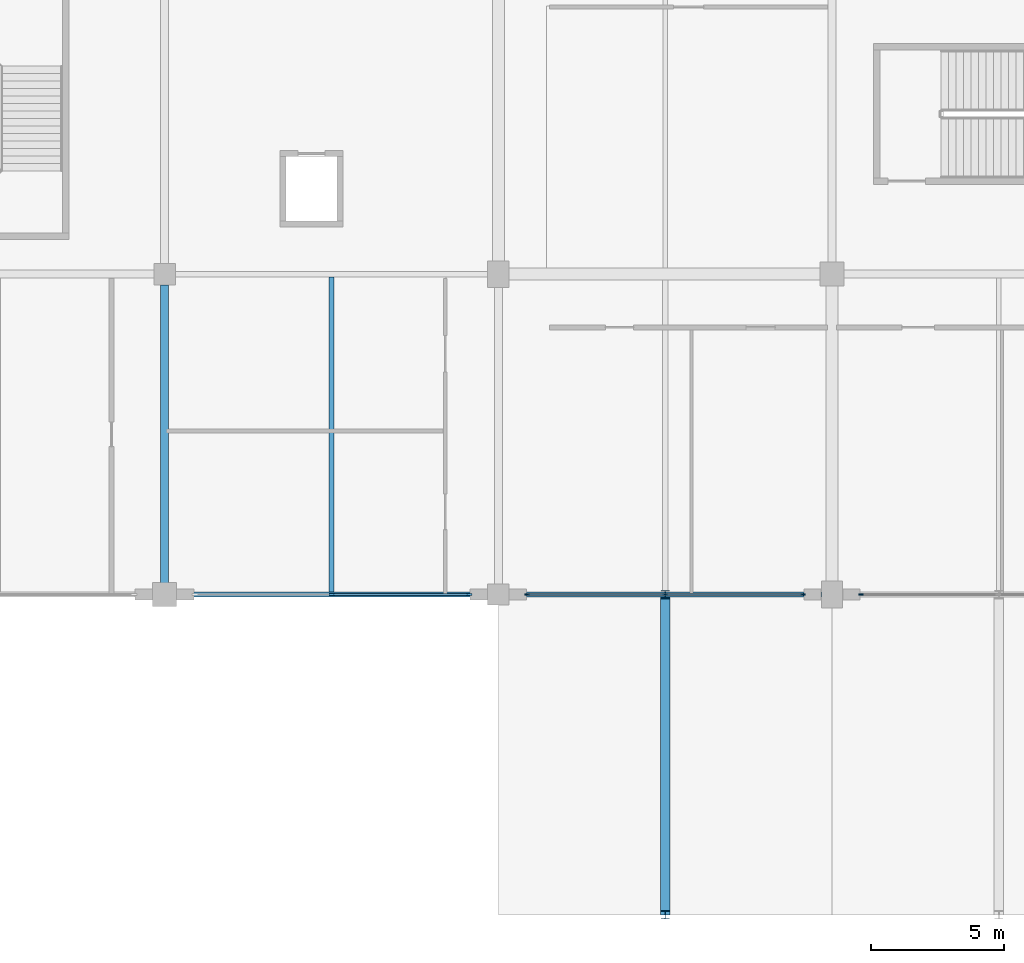
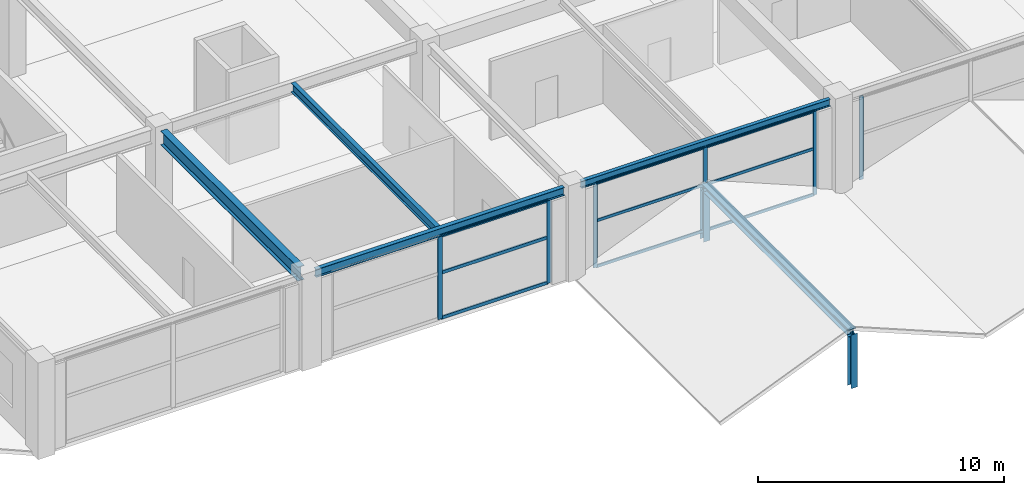
# One storey, part 6 of 134: 18 members, 4 beams, 3 elements without a shape of their own.
"""IFC4 building model written with IfcOpenShell, lengths in metres."""

from ifc_helpers import new_model, si_unit, direction, frame, origin, origin_2d, place, context, subcontext, project, spatial, rectangle, i_section, extrude, material, layer, layer_set, material_profile, profile_set, type_object, element, aggregate, save


model = new_model("IFC4")

# Units and contexts
model_context = context("Model", 3, precision=1e-05, world=origin(), true_north=direction((0.0, 1.0)))
body_context = subcontext(model_context, "Body", "Model", "MODEL_VIEW")
ifc_project = project(units=[si_unit("LENGTHUNIT", "METRE"), si_unit("AREAUNIT", "SQUARE_METRE"), si_unit("VOLUMEUNIT", "CUBIC_METRE"), si_unit("PLANEANGLEUNIT", "RADIAN"), si_unit("MASSUNIT", "GRAM", prefix="KILO")], contexts=[model_context])

# Site, building, storey
site_placement = place(None, origin())
site = spatial("IfcSite", under=ifc_project, at=site_placement, CompositionType="ELEMENT")
building_placement = place(site_placement, origin())
building = spatial("IfcBuilding", under=site, at=building_placement, Name="Kazenohara Klinker Stadium", CompositionType="ELEMENT")
storey_placement = place(building_placement, frame((0.0, 0.0, 5.39990234375)))
storey = spatial("IfcBuildingStorey", under=building, at=storey_placement, Name="L01", CompositionType="ELEMENT", Elevation=5.39990234375)

# Beams
ifc_material_1 = material(Name="Steel S355", Category="steel")
ifc_material_profile_1 = material_profile(ifc_material_1, i_section(OverallWidth=0.199951171875, OverallDepth=0.449951171875, WebThickness=0.009033203125, FlangeThickness=0.013916015625, FilletRadius=0.012939453125, at=origin_2d()), Name="H-450x200x9x14")
ifc_profile_set_1 = profile_set([ifc_material_profile_1], Name="Steel S355")
beam_type_1 = type_object("IfcBeamType", Name="BM-JST02", PredefinedType="JOIST", material=ifc_profile_set_1)
beam_1_placement = place(storey_placement, frame((42.75, 12.10009765625, 4.3251953125), z_axis=(0.0, 1.0, 0.0), x_axis=(-1.0, 0.0, 0.0)))
element("IfcBeam", 1, at=beam_1_placement, inside=storey, type_object=beam_type_1, Name="Secondary floor joist SJ02 L01 4/B", PredefinedType="JOIST", context=body_context, shape_type="SweptSolid", body=[
    extrude(i_section(OverallWidth=0.199951171875, OverallDepth=0.449951171875, WebThickness=0.009033203125, FlangeThickness=0.013916015625, FilletRadius=0.012939453125, at=origin_2d()), origin(), (0.0, 0.0, 1.0), 11.7998046875),
])
ifc_material_profile_2 = material_profile(ifc_material_1, i_section(OverallWidth=0.199951171875, OverallDepth=0.39990234375, WebThickness=0.008056640625, FlangeThickness=0.012939453125, FilletRadius=0.012939453125, at=origin_2d()), Name="H-400x200x8x13")
ifc_profile_set_2 = profile_set([ifc_material_profile_2], Name="Steel S355")
beam_type_2 = type_object("IfcBeamType", Name="BM-SPD01", PredefinedType="SPANDREL", material=ifc_profile_set_2)
beam_2_placement = place(storey_placement, frame((36.919921875, 12.0, 4.35009765625), z_axis=(1.0, 0.0, 0.0), x_axis=(0.0, 1.0, 0.0)))
element("IfcBeam", 2, at=beam_2_placement, inside=storey, type_object=beam_type_2, Name="Primary girder SP01 L01 4-5/B", PredefinedType="SPANDREL", context=body_context, shape_type="SweptSolid", body=[
    extrude(i_section(OverallWidth=0.199951171875, OverallDepth=0.39990234375, WebThickness=0.008056640625, FlangeThickness=0.012939453125, FilletRadius=0.012939453125, at=origin_2d()), origin(), (0.0, 0.0, 1.0), 11.68017578125),
])
ifc_material_profile_3 = material_profile(ifc_material_1, i_section(OverallWidth=0.175048828125, OverallDepth=0.35009765625, WebThickness=0.007080078125, FlangeThickness=0.010986328125, FilletRadius=0.012939453125, at=origin_2d()), Name="H-350x175x7x11")
ifc_profile_set_3 = profile_set([ifc_material_profile_3], Name="Steel S355")
beam_type_3 = type_object("IfcBeamType", Name="BM-SPD02", PredefinedType="SPANDREL", material=ifc_profile_set_3)
beam_3_placement = place(storey_placement, frame((49.39990234375, 12.0, 4.375), z_axis=(1.0, 0.0, 0.0), x_axis=(0.0, 1.0, 0.0)))
element("IfcBeam", 3, at=beam_3_placement, inside=storey, type_object=beam_type_3, Name="Primary girder SP02 L01 5-6/B", PredefinedType="SPANDREL", context=body_context, shape_type="SweptSolid", body=[
    extrude(i_section(OverallWidth=0.175048828125, OverallDepth=0.35009765625, WebThickness=0.007080078125, FlangeThickness=0.010986328125, FilletRadius=0.012939453125, at=origin_2d()), origin(), (0.0, 0.0, 1.0), 11.7001953125),
])
ifc_material_profile_4 = material_profile(ifc_material_1, i_section(OverallWidth=0.300048828125, OverallDepth=0.699951171875, WebThickness=0.012939453125, FlangeThickness=0.02392578125, FilletRadius=0.02197265625, at=origin_2d()), Name="H-700x300x13x24")
ifc_profile_set_4 = profile_set([ifc_material_profile_4], Name="Steel S355")
beam_type_4 = type_object("IfcBeamType", Name="BM-ST03", PredefinedType="BEAM", material=ifc_profile_set_4)
beam_4_placement = place(storey_placement, frame((36.5, 12.419921875, 4.2001953125), z_axis=(0.0, 1.0, 0.0), x_axis=(-1.0, 0.0, 0.0)))
element("IfcBeam", 4, at=beam_4_placement, inside=storey, type_object=beam_type_4, Name="Primary girder SB03 L01 4/B-C", PredefinedType="BEAM", context=body_context, shape_type="SweptSolid", body=[
    extrude(i_section(OverallWidth=0.300048828125, OverallDepth=0.699951171875, WebThickness=0.012939453125, FlangeThickness=0.02392578125, FilletRadius=0.02197265625, at=origin_2d()), origin(), (0.0, 0.0, 1.0), 11.18017578125),
])

# Curtain wall, members
ifc_material_2 = material(Name="Anodised aluminium and triple glazing", Category="aluminium")
ifc_layer_1 = layer(ifc_material_2, 0.199951171875)
ifc_layer_set_1 = layer_set([ifc_layer_1], Name="Anodised aluminium and triple glazing")
curtain_wall_type_1 = type_object("IfcCurtainWallType", Name="CW-SYS-03", PredefinedType="USERDEFINED", material=ifc_layer_set_1)
curtain_wall_1_placement = place(storey_placement, origin())
curtain_wall_1 = element("IfcCurtainWall", 5, at=curtain_wall_1_placement, inside=storey, type_object=curtain_wall_type_1, Name="Unitised facade curtain wall CW03 L01 X4-1", ObjectType="UNITISED CURTAIN WALL", PredefinedType="USERDEFINED")
ifc_material_3 = material(Name="Anodised aluminium 6063-T6", Category="aluminium")
ifc_material_profile_5 = material_profile(ifc_material_3, rectangle(XDim=0.06494140625, YDim=0.179931640625, at=origin_2d()), Name="ALU-MUL-65x180")
ifc_profile_set_5 = profile_set([ifc_material_profile_5], Name="Anodised aluminium 6063-T6")
member_type_1 = type_object("IfcMemberType", Name="CW-MUL-180", PredefinedType="MULLION", material=ifc_profile_set_5)
member_1_placement = place(storey_placement, frame((50.08642578125, 12.0, 0.0), z_axis=(0.0, 0.0, 1.0), x_axis=(0.0, 1.0, 0.0)))
member_1 = element("IfcMember", 6, at=member_1_placement, type_object=member_type_1, Name="CW03 mullion 1", PredefinedType="MULLION", context=body_context, shape_type="SweptSolid", body=[
    extrude(rectangle(XDim=0.06494140625, YDim=0.179931640625, at=origin_2d()), origin(), (0.0, 0.0, 1.0), 4.2001953125),
])
member_2_placement = place(storey_placement, frame((55.25, 12.0, 0.0), z_axis=(0.0, 0.0, 1.0), x_axis=(0.0, 1.0, 0.0)))
member_2 = element("IfcMember", 7, at=member_2_placement, type_object=member_type_1, Name="CW03 mullion 2", PredefinedType="MULLION", context=body_context, shape_type="SweptSolid", body=[
    extrude(rectangle(XDim=0.06494140625, YDim=0.179931640625, at=origin_2d()), origin(), (0.0, 0.0, 1.0), 4.2001953125),
])
member_3_placement = place(storey_placement, frame((60.41357421875, 12.0, 0.0), z_axis=(0.0, 0.0, 1.0), x_axis=(0.0, 1.0, 0.0)))
member_3 = element("IfcMember", 8, at=member_3_placement, type_object=member_type_1, Name="CW03 mullion 3", PredefinedType="MULLION", context=body_context, shape_type="SweptSolid", body=[
    extrude(rectangle(XDim=0.06494140625, YDim=0.179931640625, at=origin_2d()), origin(), (0.0, 0.0, 1.0), 4.2001953125),
])

# Curtain wall, member
ifc_layer_2 = layer(ifc_material_2, 0.18994140625)
ifc_layer_set_2 = layer_set([ifc_layer_2], Name="Anodised aluminium and triple glazing")
curtain_wall_type_2 = type_object("IfcCurtainWallType", Name="CW-SYS-05", PredefinedType="USERDEFINED", material=ifc_layer_set_2)
curtain_wall_2_placement = place(storey_placement, origin())
curtain_wall_2 = element("IfcCurtainWall", 9, at=curtain_wall_2_placement, inside=storey, type_object=curtain_wall_type_2, Name="Unitised facade curtain wall CW05 L01 X5-1", ObjectType="UNITISED CURTAIN WALL", PredefinedType="USERDEFINED")
member_4_placement = place(storey_placement, frame((62.58642578125, 12.0, 0.0), z_axis=(0.0, 0.0, 1.0), x_axis=(0.0, 1.0, 0.0)))
member_4 = element("IfcMember", 10, at=member_4_placement, type_object=member_type_1, Name="CW05 mullion 1", PredefinedType="MULLION", context=body_context, shape_type="SweptSolid", body=[
    extrude(rectangle(XDim=0.06494140625, YDim=0.179931640625, at=origin_2d()), origin(), (0.0, 0.0, 1.0), 4.150146484375),
])
aggregate(curtain_wall_2, [member_4])

# Curtain wall, members
curtain_wall_3_placement = place(storey_placement, origin())
curtain_wall_3 = element("IfcCurtainWall", 11, at=curtain_wall_3_placement, inside=storey, type_object=curtain_wall_type_1, Name="Unitised facade curtain wall CW03 L01 X3-1", ObjectType="UNITISED CURTAIN WALL", PredefinedType="USERDEFINED")
ifc_material_profile_6 = material_profile(ifc_material_3, rectangle(XDim=0.074951171875, YDim=0.219970703125, at=origin_2d()), Name="ALU-MUL-75x220")
ifc_profile_set_6 = profile_set([ifc_material_profile_6], Name="Anodised aluminium 6063-T6")
member_type_2 = type_object("IfcMemberType", Name="CW-MUL-220", PredefinedType="MULLION", material=ifc_profile_set_6)
member_5_placement = place(storey_placement, frame((42.77490234375, 12.0, 0.0), z_axis=(0.0, 0.0, 1.0), x_axis=(0.0, 1.0, 0.0)))
member_5 = element("IfcMember", 12, at=member_5_placement, type_object=member_type_2, Name="CW03 mullion 2", PredefinedType="MULLION", context=body_context, shape_type="SweptSolid", body=[
    extrude(rectangle(XDim=0.074951171875, YDim=0.219970703125, at=origin_2d()), origin(), (0.0, 0.0, 1.0), 4.150146484375),
])
member_6_placement = place(storey_placement, frame((47.908447265625, 12.0, 0.0), z_axis=(0.0, 0.0, 1.0), x_axis=(0.0, 1.0, 0.0)))
member_6 = element("IfcMember", 13, at=member_6_placement, type_object=member_type_2, Name="CW03 mullion 3", PredefinedType="MULLION", context=body_context, shape_type="SweptSolid", body=[
    extrude(rectangle(XDim=0.074951171875, YDim=0.219970703125, at=origin_2d()), origin(), (0.0, 0.0, 1.0), 4.150146484375),
])

# Member
ifc_material_profile_7 = material_profile(ifc_material_3, rectangle(XDim=0.06494140625, YDim=0.139892578125, at=origin_2d()), Name="ALU-TRN-65x140")
ifc_profile_set_7 = profile_set([ifc_material_profile_7], Name="Anodised aluminium 6063-T6")
member_type_3 = type_object("IfcMemberType", Name="CW-TRN-140", PredefinedType="USERDEFINED", material=ifc_profile_set_7)
member_7_placement = place(storey_placement, frame((50.118896484375, 12.0, 0.03271484375), z_axis=(1.0, 0.0, 0.0), x_axis=(0.0, 1.0, 0.0)))
member_7 = element("IfcMember", 14, at=member_7_placement, type_object=member_type_3, Name="CW03 transom 1.1", ObjectType="TRANSOM", PredefinedType="USERDEFINED", context=body_context, shape_type="SweptSolid", body=[
    extrude(rectangle(XDim=0.06494140625, YDim=0.139892578125, at=origin_2d()), origin(), (0.0, 0.0, 1.0), 5.0986328125),
])

member_8_placement = place(storey_placement, frame((50.118896484375, 12.0, 2.31005859375), z_axis=(1.0, 0.0, 0.0), x_axis=(0.0, 1.0, 0.0)))
member_8 = element("IfcMember", 15, at=member_8_placement, type_object=member_type_3, Name="CW03 transom 1.2", ObjectType="TRANSOM", PredefinedType="USERDEFINED", context=body_context, shape_type="SweptSolid", body=[
    extrude(rectangle(XDim=0.06494140625, YDim=0.139892578125, at=origin_2d()), origin(), (0.0, 0.0, 1.0), 5.0986328125),
])

member_9_placement = place(storey_placement, frame((50.118896484375, 12.0, 4.16748046875), z_axis=(1.0, 0.0, 0.0), x_axis=(0.0, 1.0, 0.0)))
member_9 = element("IfcMember", 16, at=member_9_placement, type_object=member_type_3, Name="CW03 transom 1.3", ObjectType="TRANSOM", PredefinedType="USERDEFINED", context=body_context, shape_type="SweptSolid", body=[
    extrude(rectangle(XDim=0.06494140625, YDim=0.139892578125, at=origin_2d()), origin(), (0.0, 0.0, 1.0), 5.0986328125),
])

member_10_placement = place(storey_placement, frame((55.282470703125, 12.0, 0.03271484375), z_axis=(1.0, 0.0, 0.0), x_axis=(0.0, 1.0, 0.0)))
member_10 = element("IfcMember", 17, at=member_10_placement, type_object=member_type_3, Name="CW03 transom 2.1", ObjectType="TRANSOM", PredefinedType="USERDEFINED", context=body_context, shape_type="SweptSolid", body=[
    extrude(rectangle(XDim=0.06494140625, YDim=0.139892578125, at=origin_2d()), origin(), (0.0, 0.0, 1.0), 5.0986328125),
])

member_11_placement = place(storey_placement, frame((55.282470703125, 12.0, 2.31005859375), z_axis=(1.0, 0.0, 0.0), x_axis=(0.0, 1.0, 0.0)))
member_11 = element("IfcMember", 18, at=member_11_placement, type_object=member_type_3, Name="CW03 transom 2.2", ObjectType="TRANSOM", PredefinedType="USERDEFINED", context=body_context, shape_type="SweptSolid", body=[
    extrude(rectangle(XDim=0.06494140625, YDim=0.139892578125, at=origin_2d()), origin(), (0.0, 0.0, 1.0), 5.0986328125),
])

member_12_placement = place(storey_placement, frame((55.282470703125, 12.0, 4.16748046875), z_axis=(1.0, 0.0, 0.0), x_axis=(0.0, 1.0, 0.0)))
member_12 = element("IfcMember", 19, at=member_12_placement, type_object=member_type_3, Name="CW03 transom 2.3", ObjectType="TRANSOM", PredefinedType="USERDEFINED", context=body_context, shape_type="SweptSolid", body=[
    extrude(rectangle(XDim=0.06494140625, YDim=0.139892578125, at=origin_2d()), origin(), (0.0, 0.0, 1.0), 5.0986328125),
])

aggregate(curtain_wall_1, [member_1, member_2, member_3, member_7, member_8, member_9, member_10, member_11, member_12])

ifc_material_profile_8 = material_profile(ifc_material_3, rectangle(XDim=0.074951171875, YDim=0.159912109375, at=origin_2d()), Name="ALU-TRN-75x160")
ifc_profile_set_8 = profile_set([ifc_material_profile_8], Name="Anodised aluminium 6063-T6")
member_type_4 = type_object("IfcMemberType", Name="CW-TRN-160", PredefinedType="USERDEFINED", material=ifc_profile_set_8)
member_13_placement = place(storey_placement, frame((42.8125, 12.0, 0.03759765625), z_axis=(1.0, 0.0, 0.0), x_axis=(0.0, 1.0, 0.0)))
member_13 = element("IfcMember", 20, at=member_13_placement, type_object=member_type_4, Name="CW03 transom 2.1", ObjectType="TRANSOM", PredefinedType="USERDEFINED", context=body_context, shape_type="SweptSolid", body=[
    extrude(rectangle(XDim=0.074951171875, YDim=0.159912109375, at=origin_2d()), origin(), (0.0, 0.0, 1.0), 5.05859375),
])

member_14_placement = place(storey_placement, frame((42.8125, 12.0, 2.28271484375), z_axis=(1.0, 0.0, 0.0), x_axis=(0.0, 1.0, 0.0)))
member_14 = element("IfcMember", 21, at=member_14_placement, type_object=member_type_4, Name="CW03 transom 2.2", ObjectType="TRANSOM", PredefinedType="USERDEFINED", context=body_context, shape_type="SweptSolid", body=[
    extrude(rectangle(XDim=0.074951171875, YDim=0.159912109375, at=origin_2d()), origin(), (0.0, 0.0, 1.0), 5.05859375),
])

member_15_placement = place(storey_placement, frame((42.8125, 12.0, 4.112548828125), z_axis=(1.0, 0.0, 0.0), x_axis=(0.0, 1.0, 0.0)))
member_15 = element("IfcMember", 22, at=member_15_placement, type_object=member_type_4, Name="CW03 transom 2.3", ObjectType="TRANSOM", PredefinedType="USERDEFINED", context=body_context, shape_type="SweptSolid", body=[
    extrude(rectangle(XDim=0.074951171875, YDim=0.159912109375, at=origin_2d()), origin(), (0.0, 0.0, 1.0), 5.05859375),
])

aggregate(curtain_wall_3, [member_5, member_6, member_13, member_14, member_15])

# Members
ifc_material_profile_9 = material_profile(ifc_material_1, i_section(OverallWidth=0.35009765625, OverallDepth=0.35009765625, WebThickness=0.011962890625, FlangeThickness=0.01904296875, FilletRadius=0.012939453125, at=origin_2d()), Name="H-350x350x12x19")
ifc_profile_set_9 = profile_set([ifc_material_profile_9], Name="Steel S355")
member_type_5 = type_object("IfcMemberType", Name="MEM-CHD02", PredefinedType="CHORD", material=ifc_profile_set_9)
member_16_placement = place(storey_placement, frame((55.25, 0.0, 2.22998046875), z_axis=(0.0, 1.0, 0.0), x_axis=(-1.0, 0.0, 0.0)))
element("IfcMember", 23, at=member_16_placement, inside=storey, type_object=member_type_5, Name="Stepped pavilion gable ridge beam L01 5/A", PredefinedType="CHORD", context=body_context, shape_type="SweptSolid", body=[
    extrude(i_section(OverallWidth=0.35009765625, OverallDepth=0.35009765625, WebThickness=0.011962890625, FlangeThickness=0.01904296875, FilletRadius=0.012939453125, at=origin_2d()), origin(), (0.0, 0.0, 1.0), 12.0),
])
ifc_material_profile_10 = material_profile(ifc_material_1, i_section(OverallWidth=0.300048828125, OverallDepth=0.300048828125, WebThickness=0.010009765625, FlangeThickness=0.014892578125, FilletRadius=0.012939453125, at=origin_2d()), Name="H-300x300x10x15")
ifc_profile_set_10 = profile_set([ifc_material_profile_10], Name="Steel S355")
member_type_6 = type_object("IfcMemberType", Name="MEM-STR01", PredefinedType="STRUT", material=ifc_profile_set_10)
for number, where, z_axis, x_axis, name in (
    (24, (55.25, 0.0, -0.429931640625), (0.0, 0.0, 1.0), (1.0, 0.0, 0.0), "Stepped pavilion gable king-post L01 5/A S"),
    (25, (55.25, 12.0, -0.429931640625), (0.0, 0.0, 1.0), (1.0, 0.0, 0.0), "Stepped pavilion gable king-post L01 5/A N"),
):
    element("IfcMember", number, at=place(storey_placement, frame(where, z_axis=z_axis, x_axis=x_axis)), inside=storey, type_object=member_type_6, Name=name, PredefinedType="STRUT", context=body_context, shape_type="SweptSolid", body=[
        extrude(i_section(OverallWidth=0.300048828125, OverallDepth=0.300048828125, WebThickness=0.010009765625, FlangeThickness=0.014892578125, FilletRadius=0.012939453125, at=origin_2d()), origin(), (0.0, 0.0, 1.0), 2.659912109375),
    ])

save(model, "model.ifc")
